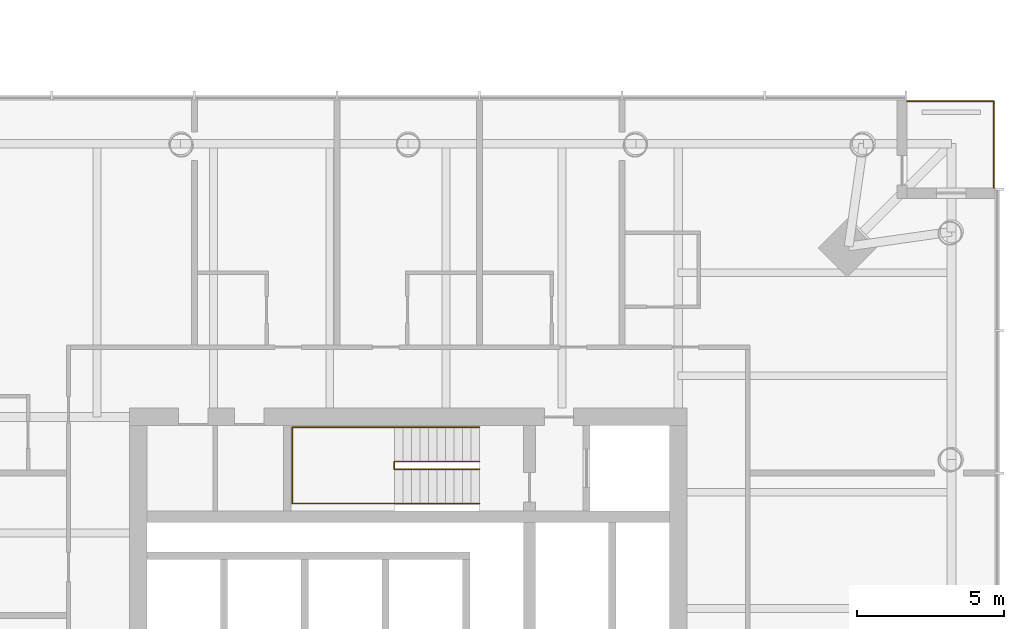
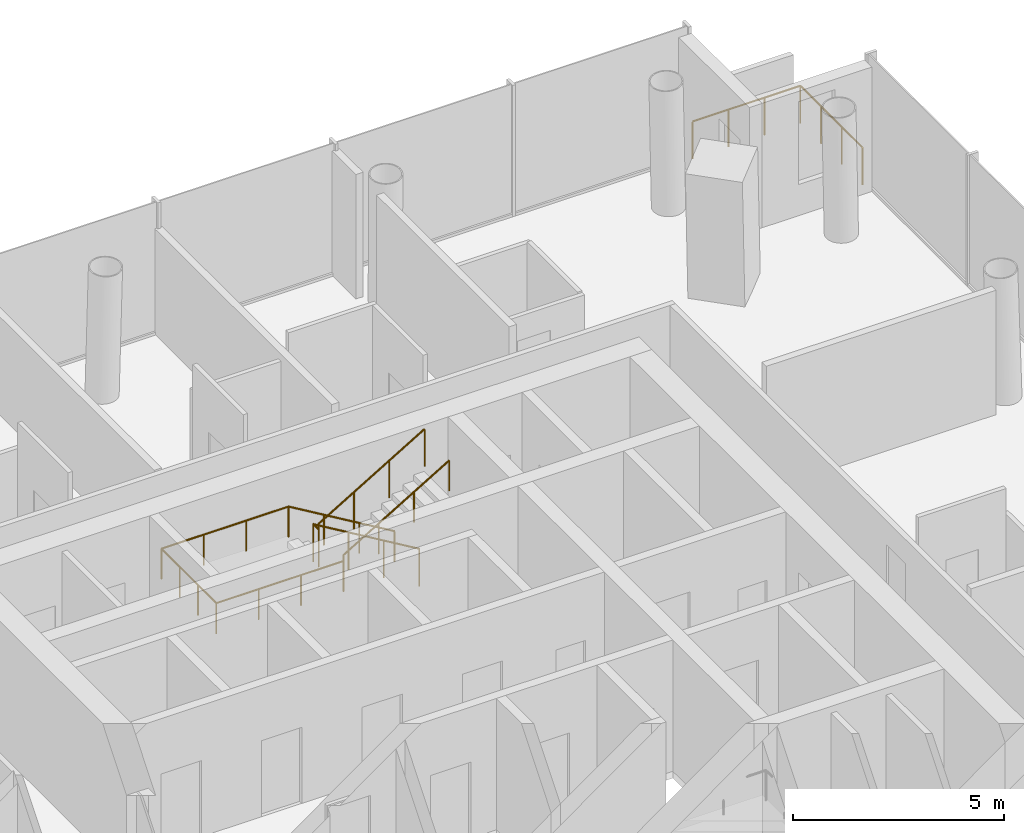
# One storey, part 21 of 21: 3 railings.
"""IFC4 building model written with IfcOpenShell, lengths in metres."""

from ifc_helpers import new_model, si_unit, direction, frame, origin, origin_2d, place, context, subcontext, project, spatial, circle, extrude, material, type_object, element, save


model = new_model("IFC4")

# Units and contexts
model_context = context("Model", 3, precision=1e-05, world=origin(), true_north=direction((0.0, 1.0)))
body_context = subcontext(model_context, "Body", "Model", "MODEL_VIEW")
ifc_project = project(units=[si_unit("LENGTHUNIT", "METRE"), si_unit("AREAUNIT", "SQUARE_METRE"), si_unit("VOLUMEUNIT", "CUBIC_METRE"), si_unit("PLANEANGLEUNIT", "RADIAN"), si_unit("MASSUNIT", "GRAM", prefix="KILO")], contexts=[model_context])

# Site, building, storey
site_placement = place(None, origin())
site = spatial("IfcSite", under=ifc_project, at=site_placement, CompositionType="ELEMENT")
building_placement = place(site_placement, origin())
building = spatial("IfcBuilding", under=site, at=building_placement, Name="Ostroluk Exchange", CompositionType="ELEMENT")
storey_placement = place(building_placement, frame((0.0, 0.0, 32.39990234375)))
storey = spatial("IfcBuildingStorey", under=building, at=storey_placement, Name="L07", CompositionType="ELEMENT", Elevation=32.39990234375)

# Railings
ifc_material_1 = material(Name="Stainless steel", Category="steel")
railing_type_1 = type_object("IfcRailingType", Name="Guard 1100 stainless steel", PredefinedType="GUARDRAIL", material=ifc_material_1)
railing_1_placement = place(storey_placement, frame((134.0, 65.949951171875, 0.0)))
element("IfcRailing", 1, at=railing_1_placement, inside=storey, type_object=railing_type_1, Name="Hotel tower NE balcony guard L07", PredefinedType="GUARDRAIL", context=body_context, shape_type="SweptSolid", body=[
    extrude(circle(Radius=0.02392578125, at=origin_2d()), frame((0.0, 0.0, 1.076171875), z_axis=(1.0, 0.0, 0.0), x_axis=(0.0, 1.0, 0.0)), (0.0, 0.0, 1.0), 2.949951171875),
    extrude(circle(Radius=0.02392578125, at=origin_2d()), frame((2.949951171875, 0.0, 1.076171875), z_axis=(0.0, -1.0, 0.0), x_axis=(1.0, 0.0, 0.0)), (0.0, 0.0, 1.0), 2.949951171875),
    extrude(circle(Radius=0.02099609375, at=origin_2d()), origin(), (0.0, 0.0, 1.0), 1.052001953125),
    extrude(circle(Radius=0.02099609375, at=origin_2d()), frame((0.9833984375, 0.0, 0.0)), (0.0, 0.0, 1.0), 1.052001953125),
    extrude(circle(Radius=0.02099609375, at=origin_2d()), frame((1.966552734375, 0.0, 0.0)), (0.0, 0.0, 1.0), 1.052001953125),
    extrude(circle(Radius=0.02099609375, at=origin_2d()), frame((2.949951171875, 0.0, 0.0)), (0.0, 0.0, 1.0), 1.052001953125),
    extrude(circle(Radius=0.02099609375, at=origin_2d()), frame((2.949951171875, -0.9833984375, 0.0)), (0.0, 0.0, 1.0), 1.052001953125),
    extrude(circle(Radius=0.02099609375, at=origin_2d()), frame((2.949951171875, -1.966552734375, 0.0)), (0.0, 0.0, 1.0), 1.052001953125),
    extrude(circle(Radius=0.02099609375, at=origin_2d()), frame((2.949951171875, -2.949951171875, 0.0)), (0.0, 0.0, 1.0), 1.052001953125),
])
ifc_material_2 = material(Name="Steel S355", Category="steel")
railing_type_2 = type_object("IfcRailingType", Name="Stair guard 1100", PredefinedType="GUARDRAIL", material=ifc_material_2)
railing_2_placement = place(storey_placement, frame((119.429931640625, 53.679931640625, 0.1728515625)))
element("IfcRailing", 2, at=railing_2_placement, inside=storey, type_object=railing_type_2, Name="Stair T2-S2 guard L07", PredefinedType="GUARDRAIL", context=body_context, shape_type="SweptSolid", body=[
    extrude(circle(Radius=0.02392578125, at=origin_2d()), frame((0.0, 0.0, 1.076171875), z_axis=(-0.859141464434, 0.0, 0.511738159696), x_axis=(0.0, -1.0, 0.0)), (0.0, 0.0, 1.0), 3.375244140625),
    extrude(circle(Radius=0.02392578125, at=origin_2d()), frame((-2.89990234375, 0.0, 2.80322265625), z_axis=(0.0, -1.0, 0.0), x_axis=(1.0, 0.0, 0.0)), (0.0, 0.0, 1.0), 0.260009765625),
    extrude(circle(Radius=0.02392578125, at=origin_2d()), frame((-2.89990234375, -0.260009765625, 2.80322265625), z_axis=(0.0, 0.0, 1.0), x_axis=(1.0, 0.0, 0.0)), (0.0, 0.0, 1.0), 0.172607421875),
    extrude(circle(Radius=0.02392578125, at=origin_2d()), frame((-2.89990234375, -0.260009765625, 2.97607421875), z_axis=(0.859141464434, 0.0, 0.511738159696), x_axis=(0.0, 1.0, 0.0)), (0.0, 0.0, 1.0), 3.375244140625),
    extrude(circle(Radius=0.02099609375, at=origin_2d()), origin(), (0.0, 0.0, 1.0), 1.052001953125),
    extrude(circle(Radius=0.02099609375, at=origin_2d()), frame((-0.966552734375, 0.0, 0.57568359375)), (0.0, 0.0, 1.0), 1.052001953125),
    extrude(circle(Radius=0.02099609375, at=origin_2d()), frame((-1.933349609375, 0.0, 1.151611328125)), (0.0, 0.0, 1.0), 1.052001953125),
    extrude(circle(Radius=0.02099609375, at=origin_2d()), frame((-2.89990234375, 0.0, 1.727294921875)), (0.0, 0.0, 1.0), 1.052001953125),
    extrude(circle(Radius=0.02099609375, at=origin_2d()), frame((-2.89990234375, -0.260009765625, 1.727294921875)), (0.0, 0.0, 1.0), 1.052001953125),
    extrude(circle(Radius=0.02099609375, at=origin_2d()), frame((-2.89990234375, -0.260009765625, 1.89990234375)), (0.0, 0.0, 1.0), 1.052001953125),
    extrude(circle(Radius=0.02099609375, at=origin_2d()), frame((-1.933349609375, -0.260009765625, 2.4755859375)), (0.0, 0.0, 1.0), 1.052001953125),
    extrude(circle(Radius=0.02099609375, at=origin_2d()), frame((-0.966552734375, -0.260009765625, 3.051513671875)), (0.0, 0.0, 1.0), 1.052001953125),
    extrude(circle(Radius=0.02099609375, at=origin_2d()), frame((0.0, -0.260009765625, 3.627197265625)), (0.0, 0.0, 1.0), 1.052001953125),
])
ifc_material_3 = material(Name="Stainless steel", Category="steel")
railing_type_3 = type_object("IfcRailingType", Name="Stair handrail 900", PredefinedType="HANDRAIL", material=ifc_material_3)
railing_3_placement = place(storey_placement, frame((119.429931640625, 54.85009765625, 0.1728515625)))
element("IfcRailing", 3, at=railing_3_placement, inside=storey, type_object=railing_type_3, Name="Stair T2-S2 handrail L07", PredefinedType="HANDRAIL", context=body_context, shape_type="SweptSolid", body=[
    extrude(circle(Radius=0.02392578125, at=origin_2d()), frame((0.0, 0.0, 0.8759765625), z_axis=(-0.859141464434, 0.0, 0.511738159696), x_axis=(0.0, -1.0, 0.0)), (0.0, 0.0, 1.0), 3.375244140625),
    extrude(circle(Radius=0.02392578125, at=origin_2d()), frame((-2.89990234375, 0.0, 2.60302734375), z_axis=(-1.0, 0.0, 0.0), x_axis=(0.0, -1.0, 0.0)), (0.0, 0.0, 1.0), 3.47998046875),
    extrude(circle(Radius=0.02392578125, at=origin_2d()), frame((-6.3798828125, 0.0, 2.60302734375), z_axis=(0.0, -1.0, 0.0), x_axis=(1.0, 0.0, 0.0)), (0.0, 0.0, 1.0), 2.60009765625),
    extrude(circle(Radius=0.02392578125, at=origin_2d()), frame((-6.3798828125, -2.60009765625, 2.60302734375), z_axis=(1.0, 0.0, 0.0), x_axis=(0.0, 1.0, 0.0)), (0.0, 0.0, 1.0), 3.47998046875),
    extrude(circle(Radius=0.02392578125, at=origin_2d()), frame((-2.89990234375, -2.60009765625, 2.60302734375), z_axis=(0.0, 0.0, 1.0), x_axis=(1.0, 0.0, 0.0)), (0.0, 0.0, 1.0), 0.172607421875),
    extrude(circle(Radius=0.02392578125, at=origin_2d()), frame((-2.89990234375, -2.60009765625, 2.77587890625), z_axis=(0.859141464434, 0.0, 0.511738159696), x_axis=(0.0, 1.0, 0.0)), (0.0, 0.0, 1.0), 3.375244140625),
    extrude(circle(Radius=0.02099609375, at=origin_2d()), origin(), (0.0, 0.0, 1.0), 0.851806640625),
    extrude(circle(Radius=0.02099609375, at=origin_2d()), frame((-0.966552734375, 0.0, 0.57568359375)), (0.0, 0.0, 1.0), 0.851806640625),
    extrude(circle(Radius=0.02099609375, at=origin_2d()), frame((-1.933349609375, 0.0, 1.151611328125)), (0.0, 0.0, 1.0), 0.851806640625),
    extrude(circle(Radius=0.02099609375, at=origin_2d()), frame((-2.89990234375, 0.0, 1.727294921875)), (0.0, 0.0, 1.0), 0.851806640625),
    extrude(circle(Radius=0.02099609375, at=origin_2d()), frame((-4.059814453125, 0.0, 1.727294921875)), (0.0, 0.0, 1.0), 0.851806640625),
    extrude(circle(Radius=0.02099609375, at=origin_2d()), frame((-5.219970703125, 0.0, 1.727294921875)), (0.0, 0.0, 1.0), 0.851806640625),
    extrude(circle(Radius=0.02099609375, at=origin_2d()), frame((-6.3798828125, 0.0, 1.727294921875)), (0.0, 0.0, 1.0), 0.851806640625),
    extrude(circle(Radius=0.02099609375, at=origin_2d()), frame((-6.3798828125, -0.86669921875, 1.727294921875)), (0.0, 0.0, 1.0), 0.851806640625),
    extrude(circle(Radius=0.02099609375, at=origin_2d()), frame((-6.3798828125, -1.7333984375, 1.727294921875)), (0.0, 0.0, 1.0), 0.851806640625),
    extrude(circle(Radius=0.02099609375, at=origin_2d()), frame((-6.3798828125, -2.60009765625, 1.727294921875)), (0.0, 0.0, 1.0), 0.851806640625),
    extrude(circle(Radius=0.02099609375, at=origin_2d()), frame((-5.219970703125, -2.60009765625, 1.727294921875)), (0.0, 0.0, 1.0), 0.851806640625),
    extrude(circle(Radius=0.02099609375, at=origin_2d()), frame((-4.059814453125, -2.60009765625, 1.727294921875)), (0.0, 0.0, 1.0), 0.851806640625),
    extrude(circle(Radius=0.02099609375, at=origin_2d()), frame((-2.89990234375, -2.60009765625, 1.727294921875)), (0.0, 0.0, 1.0), 0.851806640625),
    extrude(circle(Radius=0.02099609375, at=origin_2d()), frame((-2.89990234375, -2.60009765625, 1.89990234375)), (0.0, 0.0, 1.0), 0.851806640625),
    extrude(circle(Radius=0.02099609375, at=origin_2d()), frame((-1.933349609375, -2.60009765625, 2.4755859375)), (0.0, 0.0, 1.0), 0.851806640625),
    extrude(circle(Radius=0.02099609375, at=origin_2d()), frame((-0.966552734375, -2.60009765625, 3.051513671875)), (0.0, 0.0, 1.0), 0.851806640625),
    extrude(circle(Radius=0.02099609375, at=origin_2d()), frame((0.0, -2.60009765625, 3.627197265625)), (0.0, 0.0, 1.0), 0.851806640625),
])

save(model, "model.ifc")
